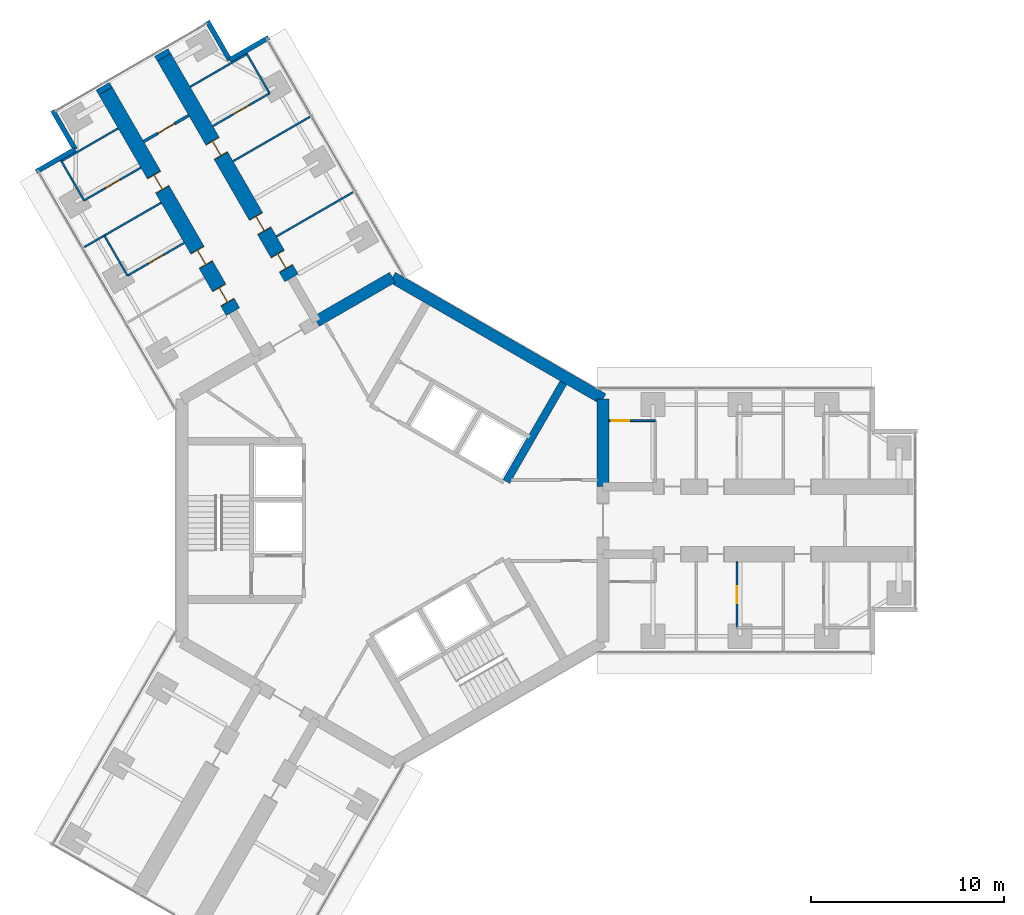
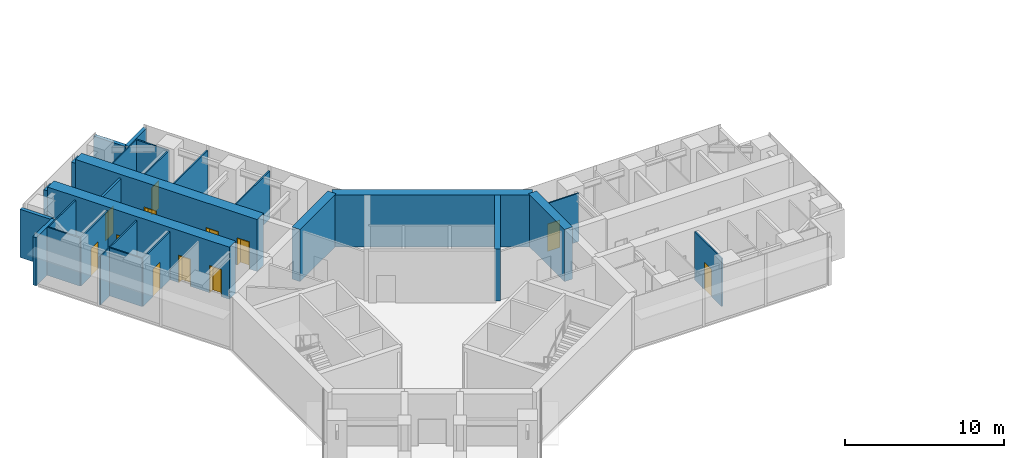
# One storey, part 17 of 23: 26 walls, 12 doors, 12 openings.
"""IFC4 building model written with IfcOpenShell, lengths in metres."""

from ifc_helpers import new_model, si_unit, direction, frame, frame_2d, origin, place, context, subcontext, project, spatial, rectangle, extrude, material, layer, layer_set, type_object, element, fill, save


model = new_model("IFC4")

# Units and contexts
model_context = context("Model", 3, precision=1e-05, world=origin(), true_north=direction((0.0, 1.0)))
body_context = subcontext(model_context, "Body", "Model", "MODEL_VIEW")
ifc_project = project(units=[si_unit("LENGTHUNIT", "METRE"), si_unit("AREAUNIT", "SQUARE_METRE"), si_unit("VOLUMEUNIT", "CUBIC_METRE"), si_unit("PLANEANGLEUNIT", "RADIAN"), si_unit("MASSUNIT", "GRAM", prefix="KILO")], contexts=[model_context])

# Site, building, storey
site_placement = place(None, origin())
site = spatial("IfcSite", under=ifc_project, at=site_placement, CompositionType="ELEMENT")
building_placement = place(site_placement, origin())
building = spatial("IfcBuilding", under=site, at=building_placement, Name="Upepo Twin Towers", CompositionType="ELEMENT")
storey_placement = place(building_placement, frame((0.0, 0.0, 161.5)))
storey = spatial("IfcBuildingStorey", under=building, at=storey_placement, Name="L39", CompositionType="ELEMENT", Elevation=161.5)

# Walls
ifc_material_1 = material(Name="Dense concrete blockwork", Category="masonry")
ifc_layer_1 = layer(ifc_material_1, 0.800048828125)
ifc_layer_set_1 = layer_set([ifc_layer_1], Name="Buttress closer 800, blockwork with fire-stopping to the curtain wall")
wall_type_1 = type_object("IfcWallType", Name="Buttress closer 800, blockwork with fire-stopping to the curtain wall", PredefinedType="PARTITIONING", material=ifc_layer_set_1)
wall_1_placement = place(storey_placement, frame((-14.865478515625, 22.247802734375, 0.0), z_axis=(0.0, 0.0, 1.0), x_axis=(-0.500426713919, 0.865778900179, 0.0)))
element("IfcWall", 1, at=wall_1_placement, inside=storey, type_object=wall_type_1, Name="T1 L39 wing B buttress closer L", PredefinedType="PARTITIONING", context=body_context, shape_type="SweptSolid", body=[
    extrude(rectangle(XDim=0.300048828125, YDim=0.800048828125, at=frame_2d((0.14990234375, 0.0))), origin(), (0.0, 0.0, 1.0), 3.699951171875),
])
wall_2_placement = place(storey_placement, frame((-11.83447265625, 23.997802734375, 0.0), z_axis=(0.0, 0.0, 1.0), x_axis=(-0.499816412211, 0.866131372301, 0.0)))
element("IfcWall", 2, at=wall_2_placement, inside=storey, type_object=wall_type_1, Name="T1 L39 wing B buttress closer R", PredefinedType="PARTITIONING", context=body_context, shape_type="SweptSolid", body=[
    extrude(rectangle(XDim=0.2998046875, YDim=0.800048828125, at=frame_2d((0.14990234375, 0.0))), origin(), (0.0, 0.0, 1.0), 3.699951171875),
])

# Wall, openings, doors
ifc_material_2 = material(Name="Concrete C60/75", Category="concrete")
ifc_layer_2 = layer(ifc_material_2, 0.800048828125)
ifc_layer_set_2 = layer_set([ifc_layer_2], Name="Concrete C60/75")
wall_type_2 = type_object("IfcWallType", Name="Buttress wall 800 RC", PredefinedType="SHEAR", material=ifc_layer_set_2)
wall_3_placement = place(storey_placement, frame((-8.265625, 10.81640625, 0.0), z_axis=(0.0, 0.0, 1.0), x_axis=(-0.499996231654, 0.866027579429, 0.0)))
wall_3 = element("IfcWall", 3, at=wall_3_placement, inside=storey, type_object=wall_type_2, Name="T1 wing B buttress wall L part 2", PredefinedType="SHEAR", context=body_context, shape_type="SweptSolid", body=[
    extrude(rectangle(XDim=13.19970703125, YDim=0.800048828125, at=frame_2d((6.599853515625, 0.0))), origin(), (0.0, 0.0, 1.0), 4.0),
])
opening_1_placement = place(wall_3_placement, frame((0.550048828125, 0.0, 0.0)))
opening_1 = element("IfcOpeningElement", 4, at=opening_1_placement, cuts=wall_3, Name="Opening D14", PredefinedType="OPENING", context=body_context, shape_type="SweptSolid", body=[
    extrude(rectangle(XDim=0.89990234375, YDim=2.10009765625, at=frame_2d((0.449951171875, 1.050048828125))), frame((0.0, 0.409912109375, 0.0), z_axis=(0.0, -1.0, 0.0), x_axis=(1.0, 0.0, 0.0)), (0.0, 0.0, 1.0), 0.820068359375),
])
opening_2_placement = place(wall_3_placement, frame((2.800048828125, 0.0, 0.0)))
opening_2 = element("IfcOpeningElement", 5, at=opening_2_placement, cuts=wall_3, Name="Opening D14", PredefinedType="OPENING", context=body_context, shape_type="SweptSolid", body=[
    extrude(rectangle(XDim=0.89990234375, YDim=2.10009765625, at=frame_2d((0.449951171875, 1.050048828125))), frame((0.0, 0.409912109375, 0.0), z_axis=(0.0, -1.0, 0.0), x_axis=(1.0, 0.0, 0.0)), (0.0, 0.0, 1.0), 0.820068359375),
])
opening_3_placement = place(wall_3_placement, frame((7.300048828125, 0.0, 0.0)))
opening_3 = element("IfcOpeningElement", 6, at=opening_3_placement, cuts=wall_3, Name="Opening D14", PredefinedType="OPENING", context=body_context, shape_type="SweptSolid", body=[
    extrude(rectangle(XDim=0.89990234375, YDim=2.10009765625, at=frame_2d((0.449951171875, 1.050048828125))), frame((0.0, 0.409912109375, 0.0), z_axis=(0.0, -1.0, 0.0), x_axis=(1.0, 0.0, 0.0)), (0.0, 0.0, 1.0), 0.820068359375),
])
ifc_material_3 = material(Name="Timber doorset", Category="wood")
door_type_1 = type_object("IfcDoorType", Name="Office door 900 FD30", OperationType="SINGLE_SWING_LEFT", PredefinedType="DOOR", material=ifc_material_3)
door_1_placement = place(opening_1_placement, origin())
door_1 = element("IfcDoor", 7, at=door_1_placement, inside=storey, type_object=door_type_1, Name="T1 L39 staff office door", OperationType="SINGLE_SWING_LEFT", OverallHeight=2.10009765625, OverallWidth=0.89990234375, PredefinedType="DOOR", context=body_context, shape_type="SweptSolid", body=[
    extrude(rectangle(XDim=0.81990234375, YDim=2.06009765625, at=frame_2d((0.449951171875, 1.030029296875))), frame((0.0, 0.02490234375, 0.0), z_axis=(0.0, -1.0, 0.0), x_axis=(1.0, 0.0, 0.0)), (0.0, 0.0, 1.0), 0.050048828125),
    extrude(rectangle(XDim=0.04, YDim=2.10009765625, at=frame_2d((0.02001953125, 1.050048828125))), frame((0.0, 0.39990234375, 0.0), z_axis=(0.0, -1.0, 0.0), x_axis=(1.0, 0.0, 0.0)), (0.0, 0.0, 1.0), 0.799560546875),
    extrude(rectangle(XDim=0.04, YDim=2.10009765625, at=frame_2d((0.8798828125, 1.050048828125))), frame((0.0, 0.39990234375, 0.0), z_axis=(0.0, -1.0, 0.0), x_axis=(1.0, 0.0, 0.0)), (0.0, 0.0, 1.0), 0.799560546875),
    extrude(rectangle(XDim=0.81990234375, YDim=0.04, at=frame_2d((0.449951171875, 2.080078125))), frame((0.0, 0.39990234375, 0.0), z_axis=(0.0, -1.0, 0.0), x_axis=(1.0, 0.0, 0.0)), (0.0, 0.0, 1.0), 0.799560546875),
])
fill(opening_1, door_1)
door_2_placement = place(opening_2_placement, origin())
door_2 = element("IfcDoor", 8, at=door_2_placement, inside=storey, type_object=door_type_1, Name="T1 L39 postgraduate office door", OperationType="SINGLE_SWING_LEFT", OverallHeight=2.10009765625, OverallWidth=0.89990234375, PredefinedType="DOOR", context=body_context, shape_type="SweptSolid", body=[
    extrude(rectangle(XDim=0.81990234375, YDim=2.06009765625, at=frame_2d((0.449951171875, 1.030029296875))), frame((0.0, 0.02490234375, 0.0), z_axis=(0.0, -1.0, 0.0), x_axis=(1.0, 0.0, 0.0)), (0.0, 0.0, 1.0), 0.050048828125),
    extrude(rectangle(XDim=0.04, YDim=2.10009765625, at=frame_2d((0.02001953125, 1.050048828125))), frame((0.0, 0.39990234375, 0.0), z_axis=(0.0, -1.0, 0.0), x_axis=(1.0, 0.0, 0.0)), (0.0, 0.0, 1.0), 0.799560546875),
    extrude(rectangle(XDim=0.04, YDim=2.10009765625, at=frame_2d((0.8798828125, 1.050048828125))), frame((0.0, 0.39990234375, 0.0), z_axis=(0.0, -1.0, 0.0), x_axis=(1.0, 0.0, 0.0)), (0.0, 0.0, 1.0), 0.799560546875),
    extrude(rectangle(XDim=0.81990234375, YDim=0.04, at=frame_2d((0.449951171875, 2.080078125))), frame((0.0, 0.39990234375, 0.0), z_axis=(0.0, -1.0, 0.0), x_axis=(1.0, 0.0, 0.0)), (0.0, 0.0, 1.0), 0.799560546875),
])
fill(opening_2, door_2)
door_3_placement = place(opening_3_placement, origin())
door_3 = element("IfcDoor", 9, at=door_3_placement, inside=storey, type_object=door_type_1, Name="T1 L39 meeting room door", OperationType="SINGLE_SWING_RIGHT", OverallHeight=2.10009765625, OverallWidth=0.89990234375, PredefinedType="DOOR", context=body_context, shape_type="SweptSolid", body=[
    extrude(rectangle(XDim=0.81990234375, YDim=2.06009765625, at=frame_2d((0.449951171875, 1.030029296875))), frame((0.0, 0.02490234375, 0.0), z_axis=(0.0, -1.0, 0.0), x_axis=(1.0, 0.0, 0.0)), (0.0, 0.0, 1.0), 0.050048828125),
    extrude(rectangle(XDim=0.04, YDim=2.10009765625, at=frame_2d((0.02001953125, 1.050048828125))), frame((0.0, 0.39990234375, 0.0), z_axis=(0.0, -1.0, 0.0), x_axis=(1.0, 0.0, 0.0)), (0.0, 0.0, 1.0), 0.799560546875),
    extrude(rectangle(XDim=0.04, YDim=2.10009765625, at=frame_2d((0.8798828125, 1.050048828125))), frame((0.0, 0.39990234375, 0.0), z_axis=(0.0, -1.0, 0.0), x_axis=(1.0, 0.0, 0.0)), (0.0, 0.0, 1.0), 0.799560546875),
    extrude(rectangle(XDim=0.81990234375, YDim=0.04, at=frame_2d((0.449951171875, 2.080078125))), frame((0.0, 0.39990234375, 0.0), z_axis=(0.0, -1.0, 0.0), x_axis=(1.0, 0.0, 0.0)), (0.0, 0.0, 1.0), 0.799560546875),
])
fill(opening_3, door_3)

wall_4_placement = place(storey_placement, frame((-5.234375, 12.56640625, 0.0), z_axis=(0.0, 0.0, 1.0), x_axis=(-0.500010103361, 0.866019570528, 0.0)))
wall_4 = element("IfcWall", 10, at=wall_4_placement, inside=storey, type_object=wall_type_2, Name="T1 wing B buttress wall R part 2", PredefinedType="SHEAR", context=body_context, shape_type="SweptSolid", body=[
    extrude(rectangle(XDim=13.199951171875, YDim=0.800048828125, at=frame_2d((6.60009765625, 0.0))), origin(), (0.0, 0.0, 1.0), 4.0),
])
opening_4_placement = place(wall_4_placement, frame((0.550048828125, 0.0, 0.0)))
opening_4 = element("IfcOpeningElement", 11, at=opening_4_placement, cuts=wall_4, Name="Opening D14", PredefinedType="OPENING", context=body_context, shape_type="SweptSolid", body=[
    extrude(rectangle(XDim=0.89990234375, YDim=2.10009765625, at=frame_2d((0.449951171875, 1.050048828125))), frame((0.0, 0.409912109375, 0.0), z_axis=(0.0, -1.0, 0.0), x_axis=(1.0, 0.0, 0.0)), (0.0, 0.0, 1.0), 0.820068359375),
])
opening_5_placement = place(wall_4_placement, frame((2.800048828125, 0.0, 0.0)))
opening_5 = element("IfcOpeningElement", 12, at=opening_5_placement, cuts=wall_4, Name="Opening D14", PredefinedType="OPENING", context=body_context, shape_type="SweptSolid", body=[
    extrude(rectangle(XDim=0.89990234375, YDim=2.10009765625, at=frame_2d((0.449951171875, 1.050048828125))), frame((0.0, 0.409912109375, 0.0), z_axis=(0.0, -1.0, 0.0), x_axis=(1.0, 0.0, 0.0)), (0.0, 0.0, 1.0), 0.820068359375),
])
opening_6_placement = place(wall_4_placement, frame((7.300048828125, 0.0, 0.0)))
opening_6 = element("IfcOpeningElement", 13, at=opening_6_placement, cuts=wall_4, Name="Opening D14", PredefinedType="OPENING", context=body_context, shape_type="SweptSolid", body=[
    extrude(rectangle(XDim=0.89990234375, YDim=2.10009765625, at=frame_2d((0.449951171875, 1.050048828125))), frame((0.0, 0.409912109375, 0.0), z_axis=(0.0, -1.0, 0.0), x_axis=(1.0, 0.0, 0.0)), (0.0, 0.0, 1.0), 0.820068359375),
])
door_4_placement = place(opening_4_placement, origin())
door_4 = element("IfcDoor", 14, at=door_4_placement, inside=storey, type_object=door_type_1, Name="T1 L39 staff office door", OperationType="SINGLE_SWING_LEFT", OverallHeight=2.10009765625, OverallWidth=0.89990234375, PredefinedType="DOOR", context=body_context, shape_type="SweptSolid", body=[
    extrude(rectangle(XDim=0.81990234375, YDim=2.06009765625, at=frame_2d((0.449951171875, 1.030029296875))), frame((0.0, 0.02490234375, 0.0), z_axis=(0.0, -1.0, 0.0), x_axis=(1.0, 0.0, 0.0)), (0.0, 0.0, 1.0), 0.050048828125),
    extrude(rectangle(XDim=0.04, YDim=2.10009765625, at=frame_2d((0.02001953125, 1.050048828125))), frame((0.0, 0.39990234375, 0.0), z_axis=(0.0, -1.0, 0.0), x_axis=(1.0, 0.0, 0.0)), (0.0, 0.0, 1.0), 0.799560546875),
    extrude(rectangle(XDim=0.04, YDim=2.10009765625, at=frame_2d((0.8798828125, 1.050048828125))), frame((0.0, 0.39990234375, 0.0), z_axis=(0.0, -1.0, 0.0), x_axis=(1.0, 0.0, 0.0)), (0.0, 0.0, 1.0), 0.799560546875),
    extrude(rectangle(XDim=0.81990234375, YDim=0.04, at=frame_2d((0.449951171875, 2.080078125))), frame((0.0, 0.39990234375, 0.0), z_axis=(0.0, -1.0, 0.0), x_axis=(1.0, 0.0, 0.0)), (0.0, 0.0, 1.0), 0.799560546875),
])
fill(opening_4, door_4)
door_5_placement = place(opening_5_placement, origin())
door_5 = element("IfcDoor", 15, at=door_5_placement, inside=storey, type_object=door_type_1, Name="T1 L39 staff office door", OperationType="SINGLE_SWING_LEFT", OverallHeight=2.10009765625, OverallWidth=0.89990234375, PredefinedType="DOOR", context=body_context, shape_type="SweptSolid", body=[
    extrude(rectangle(XDim=0.81990234375, YDim=2.06009765625, at=frame_2d((0.449951171875, 1.030029296875))), frame((0.0, 0.02490234375, 0.0), z_axis=(0.0, -1.0, 0.0), x_axis=(1.0, 0.0, 0.0)), (0.0, 0.0, 1.0), 0.050048828125),
    extrude(rectangle(XDim=0.04, YDim=2.10009765625, at=frame_2d((0.02001953125, 1.050048828125))), frame((0.0, 0.39990234375, 0.0), z_axis=(0.0, -1.0, 0.0), x_axis=(1.0, 0.0, 0.0)), (0.0, 0.0, 1.0), 0.799560546875),
    extrude(rectangle(XDim=0.04, YDim=2.10009765625, at=frame_2d((0.8798828125, 1.050048828125))), frame((0.0, 0.39990234375, 0.0), z_axis=(0.0, -1.0, 0.0), x_axis=(1.0, 0.0, 0.0)), (0.0, 0.0, 1.0), 0.799560546875),
    extrude(rectangle(XDim=0.81990234375, YDim=0.04, at=frame_2d((0.449951171875, 2.080078125))), frame((0.0, 0.39990234375, 0.0), z_axis=(0.0, -1.0, 0.0), x_axis=(1.0, 0.0, 0.0)), (0.0, 0.0, 1.0), 0.799560546875),
])
fill(opening_5, door_5)
door_6_placement = place(opening_6_placement, origin())
door_6 = element("IfcDoor", 16, at=door_6_placement, inside=storey, type_object=door_type_1, Name="T1 L39 postgraduate office door", OperationType="SINGLE_SWING_RIGHT", OverallHeight=2.10009765625, OverallWidth=0.89990234375, PredefinedType="DOOR", context=body_context, shape_type="SweptSolid", body=[
    extrude(rectangle(XDim=0.81990234375, YDim=2.06009765625, at=frame_2d((0.449951171875, 1.030029296875))), frame((0.0, 0.02490234375, 0.0), z_axis=(0.0, -1.0, 0.0), x_axis=(1.0, 0.0, 0.0)), (0.0, 0.0, 1.0), 0.050048828125),
    extrude(rectangle(XDim=0.04, YDim=2.10009765625, at=frame_2d((0.02001953125, 1.050048828125))), frame((0.0, 0.39990234375, 0.0), z_axis=(0.0, -1.0, 0.0), x_axis=(1.0, 0.0, 0.0)), (0.0, 0.0, 1.0), 0.799560546875),
    extrude(rectangle(XDim=0.04, YDim=2.10009765625, at=frame_2d((0.8798828125, 1.050048828125))), frame((0.0, 0.39990234375, 0.0), z_axis=(0.0, -1.0, 0.0), x_axis=(1.0, 0.0, 0.0)), (0.0, 0.0, 1.0), 0.799560546875),
    extrude(rectangle(XDim=0.81990234375, YDim=0.04, at=frame_2d((0.449951171875, 2.080078125))), frame((0.0, 0.39990234375, 0.0), z_axis=(0.0, -1.0, 0.0), x_axis=(1.0, 0.0, 0.0)), (0.0, 0.0, 1.0), 0.799560546875),
])
fill(opening_6, door_6)

# Walls
ifc_material_4 = material(Name="Concrete C60/75", Category="concrete")
ifc_layer_3 = layer(ifc_material_4, 0.60009765625)
ifc_layer_set_3 = layer_set([ifc_layer_3], Name="Concrete C60/75")
wall_type_3 = type_object("IfcWallType", Name="Core wall 600 RC", PredefinedType="SHEAR", material=ifc_layer_set_3)
wall_5_placement = place(storey_placement, frame((10.908447265625, 1.75, 0.0), z_axis=(0.0, 0.0, 1.0), x_axis=(0.0, 1.0, 0.0)))
element("IfcWall", 17, at=wall_5_placement, inside=storey, type_object=wall_type_3, Name="T1 core wall 000 L", PredefinedType="SHEAR", context=body_context, shape_type="SweptSolid", body=[
    extrude(rectangle(XDim=4.5478515625, YDim=0.60009765625, at=frame_2d((2.27392578125, 0.0))), origin(), (0.0, 0.0, 1.0), 4.0),
])
wall_6_placement = place(storey_placement, frame((10.908447265625, 6.2978515625, 0.0), z_axis=(0.0, 0.0, 1.0), x_axis=(-0.866021940709, 0.500005998175, 0.0)))
element("IfcWall", 18, at=wall_6_placement, inside=storey, type_object=wall_type_3, Name="T1 core wall 060", PredefinedType="SHEAR", context=body_context, shape_type="SweptSolid", body=[
    extrude(rectangle(XDim=12.595947265625, YDim=0.60009765625, at=frame_2d((6.2978515625, 0.0))), origin(), (0.0, 0.0, 1.0), 4.0),
])
wall_7_placement = place(storey_placement, frame((0.0, 12.595947265625, 0.0), z_axis=(0.0, 0.0, 1.0), x_axis=(-0.866011268655, -0.500024481964, 0.0)))
element("IfcWall", 19, at=wall_7_placement, inside=storey, type_object=wall_type_3, Name="T1 core wall 120 R", PredefinedType="SHEAR", context=body_context, shape_type="SweptSolid", body=[
    extrude(rectangle(XDim=4.548095703125, YDim=0.60009765625, at=frame_2d((2.27392578125, 0.0))), origin(), (0.0, 0.0, 1.0), 4.0),
])
ifc_material_5 = material(Name="Blockwork with anodised aluminium cladding", Category="masonry")
ifc_layer_4 = layer(ifc_material_5, 0.25)
ifc_layer_set_4 = layer_set([ifc_layer_4], Name="Notch cladding wall 250, pale metal")
wall_type_4 = type_object("IfcWallType", Name="Notch cladding wall 250, pale metal", PredefinedType="STANDARD", material=ifc_layer_set_4)
for number, where, z_axis, x_axis, name in (
    (20, (-18.456298828125, 18.0673828125, 0.0), (0.0, 0.0, 1.0), (0.865998469481, 0.500046648681, 0.0), "T1 L39 wing B notch wall L1"),
    (21, (-16.44287109375, 19.22998046875, 0.0), (0.0, 0.0, 1.0), (-0.500046648681, 0.865998469481, 0.0), "T1 L39 wing B notch wall L2"),
    (22, (-6.418701171875, 25.017333984375, 0.0), (0.0, 0.0, 1.0), (-0.866043940782, -0.499967891604, 0.0), "T1 L39 wing B notch wall R1"),
    (23, (-8.43212890625, 23.85498046875, 0.0), (0.0, 0.0, 1.0), (-0.500046648681, 0.865998469481, 0.0), "T1 L39 wing B notch wall R2"),
):
    element("IfcWall", number, at=place(storey_placement, frame(where, z_axis=z_axis, x_axis=x_axis)), inside=storey, type_object=wall_type_4, Name=name, PredefinedType="STANDARD", context=body_context, shape_type="SweptSolid", body=[
        extrude(rectangle(XDim=2.324951171875, YDim=0.25, at=frame_2d((1.16259765625, 0.0))), origin(), (0.0, 0.0, 1.0), 3.699951171875),
    ])

# Wall, opening, door
ifc_material_6 = material(Name="Gypsum board on steel studs", Category="steel")
ifc_layer_5 = layer(ifc_material_6, 0.10009765625)
ifc_layer_set_5 = layer_set([ifc_layer_5], Name="Office partition 100 stud")
wall_type_5 = type_object("IfcWallType", Name="Office partition 100 stud", PredefinedType="PARTITIONING", material=ifc_layer_set_5)
wall_8_placement = place(storey_placement, frame((11.2080078125, 5.175048828125, 0.0), z_axis=(0.0, 0.0, 1.0), x_axis=(1.0, 0.0, 0.0)))
wall_8 = element("IfcWall", 24, at=wall_8_placement, inside=storey, type_object=wall_type_5, Name="T1 WC bay partition AL at 11.21", PredefinedType="PARTITIONING", context=body_context, shape_type="SweptSolid", body=[
    extrude(rectangle(XDim=2.39990234375, YDim=0.10009765625, at=frame_2d((1.199951171875, 0.0))), origin(), (0.0, 0.0, 1.0), 3.699951171875),
])
opening_7_placement = place(wall_8_placement, frame((0.14990234375, 0.0, 0.0)))
opening_7 = element("IfcOpeningElement", 25, at=opening_7_placement, cuts=wall_8, Name="Opening D14", PredefinedType="OPENING", context=body_context, shape_type="SweptSolid", body=[
    extrude(rectangle(XDim=0.89990234375, YDim=2.10009765625, at=frame_2d((0.449951171875, 1.050048828125))), frame((0.0, 0.06005859375, 0.0), z_axis=(0.0, -1.0, 0.0), x_axis=(1.0, 0.0, 0.0)), (0.0, 0.0, 1.0), 0.1201171875),
])
door_7_placement = place(opening_7_placement, origin())
door_7 = element("IfcDoor", 26, at=door_7_placement, inside=storey, type_object=door_type_1, Name="T1 L39 WC bay inner room door", OperationType="SINGLE_SWING_LEFT", OverallHeight=2.10009765625, OverallWidth=0.89990234375, PredefinedType="DOOR", context=body_context, shape_type="SweptSolid", body=[
    extrude(rectangle(XDim=0.89990234375, YDim=2.10009765625, at=frame_2d((0.449951171875, 1.050048828125))), frame((0.0, 0.02490234375, 0.0), z_axis=(0.0, -1.0, 0.0), x_axis=(1.0, 0.0, 0.0)), (0.0, 0.0, 1.0), 0.050048828125),
])
fill(opening_7, door_7)

wall_9_placement = place(storey_placement, frame((17.85009765625, -2.14990234375, 0.0), z_axis=(0.0, 0.0, 1.0), x_axis=(0.0, -1.0, 0.0)))
wall_9 = element("IfcWall", 27, at=wall_9_placement, inside=storey, type_object=wall_type_5, Name="T1 inner room partition AR end at 17.85", PredefinedType="PARTITIONING", context=body_context, shape_type="SweptSolid", body=[
    extrude(rectangle(XDim=3.400146484375, YDim=0.10009765625, at=frame_2d((1.7001953125, 0.0))), origin(), (0.0, 0.0, 1.0), 3.699951171875),
])
opening_8_placement = place(wall_9_placement, frame((1.25, 0.0, 0.0)))
opening_8 = element("IfcOpeningElement", 28, at=opening_8_placement, cuts=wall_9, Name="Opening D14", PredefinedType="OPENING", context=body_context, shape_type="SweptSolid", body=[
    extrude(rectangle(XDim=0.89990234375, YDim=2.10009765625, at=frame_2d((0.449951171875, 1.050048828125))), frame((0.0, 0.06005859375, 0.0), z_axis=(0.0, -1.0, 0.0), x_axis=(1.0, 0.0, 0.0)), (0.0, 0.0, 1.0), 0.1201171875),
])
door_8_placement = place(opening_8_placement, origin())
door_8 = element("IfcDoor", 29, at=door_8_placement, inside=storey, type_object=door_type_1, Name="T1 L39 inner room door", OperationType="SINGLE_SWING_LEFT", OverallHeight=2.10009765625, OverallWidth=0.89990234375, PredefinedType="DOOR", context=body_context, shape_type="SweptSolid", body=[
    extrude(rectangle(XDim=0.89990234375, YDim=2.10009765625, at=frame_2d((0.449951171875, 1.050048828125))), frame((0.0, 0.02490234375, 0.0), z_axis=(0.0, -1.0, 0.0), x_axis=(1.0, 0.0, 0.0)), (0.0, 0.0, 1.0), 0.050048828125),
])
fill(opening_8, door_8)

# Walls
wall_10_placement = place(storey_placement, frame((-11.987060546875, 16.4619140625, 0.0), z_axis=(0.0, 0.0, 1.0), x_axis=(-0.866039752405, -0.499975146636, 0.0)))
element("IfcWall", 30, at=wall_10_placement, inside=storey, type_object=wall_type_5, Name="T1 partition BL at 20.25", PredefinedType="PARTITIONING", context=body_context, shape_type="SweptSolid", body=[
    extrude(rectangle(XDim=4.599853515625, YDim=0.10009765625, at=frame_2d((2.2998046875, 0.0))), origin(), (0.0, 0.0, 1.0), 3.699951171875),
])
wall_11_placement = place(storey_placement, frame((-13.7314453125, 12.68359375, 0.0), z_axis=(0.0, 0.0, 1.0), x_axis=(-0.500001309137, 0.866024647952, 0.0)))
element("IfcWall", 31, at=wall_11_placement, inside=storey, type_object=wall_type_5, Name="T1 inner room partition BL at 17.85", PredefinedType="PARTITIONING", context=body_context, shape_type="SweptSolid", body=[
    extrude(rectangle(XDim=2.39990234375, YDim=0.10009765625, at=frame_2d((1.199951171875, 0.0))), origin(), (0.0, 0.0, 1.0), 3.699951171875),
])

# Wall, opening, door
wall_12_placement = place(storey_placement, frame((-10.786865234375, 14.383544921875, 0.0), z_axis=(0.0, 0.0, 1.0), x_axis=(-0.866038511948, -0.499977295307, 0.0)))
wall_12 = element("IfcWall", 32, at=wall_12_placement, inside=storey, type_object=wall_type_5, Name="T1 inner room partition BL end at 17.85", PredefinedType="PARTITIONING", context=body_context, shape_type="SweptSolid", body=[
    extrude(rectangle(XDim=3.400146484375, YDim=0.10009765625, at=frame_2d((1.7001953125, 0.0))), origin(), (0.0, 0.0, 1.0), 3.699951171875),
])
opening_9_placement = place(wall_12_placement, frame((1.25, 0.0, 0.0)))
opening_9 = element("IfcOpeningElement", 33, at=opening_9_placement, cuts=wall_12, Name="Opening D14", PredefinedType="OPENING", context=body_context, shape_type="SweptSolid", body=[
    extrude(rectangle(XDim=0.89990234375, YDim=2.10009765625, at=frame_2d((0.449951171875, 1.050048828125))), frame((0.0, 0.06005859375, 0.0), z_axis=(0.0, -1.0, 0.0), x_axis=(1.0, 0.0, 0.0)), (0.0, 0.0, 1.0), 0.1201171875),
])
door_9_placement = place(opening_9_placement, origin())
door_9 = element("IfcDoor", 34, at=door_9_placement, inside=storey, type_object=door_type_1, Name="T1 L39 inner room door", OperationType="SINGLE_SWING_LEFT", OverallHeight=2.10009765625, OverallWidth=0.89990234375, PredefinedType="DOOR", context=body_context, shape_type="SweptSolid", body=[
    extrude(rectangle(XDim=0.89990234375, YDim=2.10009765625, at=frame_2d((0.449951171875, 1.050048828125))), frame((0.0, 0.02490234375, 0.0), z_axis=(0.0, -1.0, 0.0), x_axis=(1.0, 0.0, 0.0)), (0.0, 0.0, 1.0), 0.050048828125),
])
fill(opening_9, door_9)

# Wall
wall_13_placement = place(storey_placement, frame((-15.9814453125, 16.58056640625, 0.0), z_axis=(0.0, 0.0, 1.0), x_axis=(-0.499957262057, 0.866050077142, 0.0)))
element("IfcWall", 35, at=wall_13_placement, inside=storey, type_object=wall_type_5, Name="T1 inner room partition BL at 22.35", PredefinedType="PARTITIONING", context=body_context, shape_type="SweptSolid", body=[
    extrude(rectangle(XDim=2.400146484375, YDim=0.10009765625, at=frame_2d((1.2001953125, 0.0))), origin(), (0.0, 0.0, 1.0), 3.699951171875),
])

# Wall, opening, door
wall_14_placement = place(storey_placement, frame((-13.036865234375, 18.28076171875, 0.0), z_axis=(0.0, 0.0, 1.0), x_axis=(-0.866007419912, -0.500031147688, 0.0)))
wall_14 = element("IfcWall", 36, at=wall_14_placement, inside=storey, type_object=wall_type_5, Name="T1 inner room partition BL end at 22.35", PredefinedType="PARTITIONING", context=body_context, shape_type="SweptSolid", body=[
    extrude(rectangle(XDim=3.400146484375, YDim=0.10009765625, at=frame_2d((1.7001953125, 0.0))), origin(), (0.0, 0.0, 1.0), 3.699951171875),
])
opening_10_placement = place(wall_14_placement, frame((1.25, 0.0, 0.0)))
opening_10 = element("IfcOpeningElement", 37, at=opening_10_placement, cuts=wall_14, Name="Opening D14", PredefinedType="OPENING", context=body_context, shape_type="SweptSolid", body=[
    extrude(rectangle(XDim=0.89990234375, YDim=2.10009765625, at=frame_2d((0.449951171875, 1.050048828125))), frame((0.0, 0.06005859375, 0.0), z_axis=(0.0, -1.0, 0.0), x_axis=(1.0, 0.0, 0.0)), (0.0, 0.0, 1.0), 0.1201171875),
])
door_10_placement = place(opening_10_placement, origin())
door_10 = element("IfcDoor", 38, at=door_10_placement, inside=storey, type_object=door_type_1, Name="T1 L39 inner room door", OperationType="SINGLE_SWING_LEFT", OverallHeight=2.10009765625, OverallWidth=0.89990234375, PredefinedType="DOOR", context=body_context, shape_type="SweptSolid", body=[
    extrude(rectangle(XDim=0.89990234375, YDim=2.10009765625, at=frame_2d((0.449951171875, 1.050048828125))), frame((0.0, 0.02490234375, 0.0), z_axis=(0.0, -1.0, 0.0), x_axis=(1.0, 0.0, 0.0)), (0.0, 0.0, 1.0), 0.050048828125),
])
fill(opening_10, door_10)

# Walls
wall_15_placement = place(storey_placement, frame((-14.2119140625, 20.31591796875, 0.0), z_axis=(0.0, 0.0, 1.0), x_axis=(-0.866007419912, -0.500031147688, 0.0)))
element("IfcWall", 39, at=wall_15_placement, inside=storey, type_object=wall_type_5, Name="T1 inner room partition BL end at 24.75", PredefinedType="PARTITIONING", context=body_context, shape_type="SweptSolid", body=[
    extrude(rectangle(XDim=3.400146484375, YDim=0.10009765625, at=frame_2d((1.7001953125, 0.0))), origin(), (0.0, 0.0, 1.0), 3.699951171875),
])
for number, where, z_axis, x_axis, name in (
    (40, (-6.012939453125, 14.71484375, 0.0), (0.0, 0.0, 1.0), (0.866016770315, 0.500014953309, 0.0), "T1 partition BR at 15.75"),
    (41, (-8.262939453125, 18.612060546875, 0.0), (0.0, 0.0, 1.0), (0.866016770315, 0.500014953309, 0.0), "T1 partition BR at 20.25"),
):
    element("IfcWall", number, at=place(storey_placement, frame(where, z_axis=z_axis, x_axis=x_axis)), inside=storey, type_object=wall_type_5, Name=name, PredefinedType="PARTITIONING", context=body_context, shape_type="SweptSolid", body=[
        extrude(rectangle(XDim=4.599853515625, YDim=0.10009765625, at=frame_2d((2.2998046875, 0.0))), origin(), (0.0, 0.0, 1.0), 3.699951171875),
    ])
wall_16_placement = place(storey_placement, frame((-6.36865234375, 22.130615234375, 0.0), z_axis=(0.0, 0.0, 1.0), x_axis=(-0.499957262057, 0.866050077142, 0.0)))
element("IfcWall", 42, at=wall_16_placement, inside=storey, type_object=wall_type_5, Name="T1 inner room partition BR at 22.35", PredefinedType="PARTITIONING", context=body_context, shape_type="SweptSolid", body=[
    extrude(rectangle(XDim=2.400146484375, YDim=0.10009765625, at=frame_2d((1.2001953125, 0.0))), origin(), (0.0, 0.0, 1.0), 3.699951171875),
])

# Wall, opening, door
wall_17_placement = place(storey_placement, frame((-9.31298828125, 20.4306640625, 0.0), z_axis=(0.0, 0.0, 1.0), x_axis=(0.866020560687, 0.500008388397, 0.0)))
wall_17 = element("IfcWall", 43, at=wall_17_placement, inside=storey, type_object=wall_type_5, Name="T1 inner room partition BR end at 22.35", PredefinedType="PARTITIONING", context=body_context, shape_type="SweptSolid", body=[
    extrude(rectangle(XDim=3.39990234375, YDim=0.10009765625, at=frame_2d((1.699951171875, 0.0))), origin(), (0.0, 0.0, 1.0), 3.699951171875),
])
opening_11_placement = place(wall_17_placement, frame((1.25, 0.0, 0.0)))
opening_11 = element("IfcOpeningElement", 44, at=opening_11_placement, cuts=wall_17, Name="Opening D14", PredefinedType="OPENING", context=body_context, shape_type="SweptSolid", body=[
    extrude(rectangle(XDim=0.89990234375, YDim=2.10009765625, at=frame_2d((0.449951171875, 1.050048828125))), frame((0.0, 0.06005859375, 0.0), z_axis=(0.0, -1.0, 0.0), x_axis=(1.0, 0.0, 0.0)), (0.0, 0.0, 1.0), 0.1201171875),
])
door_11_placement = place(opening_11_placement, origin())
door_11 = element("IfcDoor", 45, at=door_11_placement, inside=storey, type_object=door_type_1, Name="T1 L39 inner room door", OperationType="SINGLE_SWING_LEFT", OverallHeight=2.10009765625, OverallWidth=0.89990234375, PredefinedType="DOOR", context=body_context, shape_type="SweptSolid", body=[
    extrude(rectangle(XDim=0.89990234375, YDim=2.10009765625, at=frame_2d((0.449951171875, 1.050048828125))), frame((0.0, 0.02490234375, 0.0), z_axis=(0.0, -1.0, 0.0), x_axis=(1.0, 0.0, 0.0)), (0.0, 0.0, 1.0), 0.050048828125),
])
fill(opening_11, door_11)

# Walls
wall_18_placement = place(storey_placement, frame((-10.488037109375, 22.4658203125, 0.0), z_axis=(0.0, 0.0, 1.0), x_axis=(0.866038511948, 0.499977295307, 0.0)))
element("IfcWall", 46, at=wall_18_placement, inside=storey, type_object=wall_type_5, Name="T1 inner room partition BR end at 24.75", PredefinedType="PARTITIONING", context=body_context, shape_type="SweptSolid", body=[
    extrude(rectangle(XDim=3.400146484375, YDim=0.10009765625, at=frame_2d((1.7001953125, 0.0))), origin(), (0.0, 0.0, 1.0), 3.699951171875),
])
ifc_material_7 = material(Name="Concrete C40/50", Category="concrete")
ifc_layer_6 = layer(ifc_material_7, 0.39990234375)
ifc_layer_set_6 = layer_set([ifc_layer_6], Name="Concrete C40/50")
wall_type_6 = type_object("IfcWallType", Name="Shaft wall 400 RC", PredefinedType="SHEAR", material=ifc_layer_set_6)
wall_19_placement = place(storey_placement, frame((5.900634765625, 2.020263671875, 0.0), z_axis=(0.0, 0.0, 1.0), x_axis=(0.500027676417, 0.866009424208, 0.0)))
element("IfcWall", 47, at=wall_19_placement, inside=storey, type_object=wall_type_6, Name="T1 core W60 side wall S", PredefinedType="SHEAR", context=body_context, shape_type="SweptSolid", body=[
    extrude(rectangle(XDim=5.908447265625, YDim=0.39990234375, at=frame_2d((2.9541015625, 0.0))), origin(), (0.0, 0.0, 1.0), 4.0),
])

# Wall, opening, door
ifc_material_8 = material(Name="Gypsum board on steel studs", Category="steel")
ifc_layer_7 = layer(ifc_material_8, 0.14990234375)
ifc_layer_set_7 = layer_set([ifc_layer_7], Name="Teaching partition 150 acoustic")
wall_type_7 = type_object("IfcWallType", Name="Teaching partition 150 acoustic", PredefinedType="PARTITIONING", material=ifc_layer_set_7)
wall_20_placement = place(storey_placement, frame((-10.555908203125, 20.9833984375, 0.0), z_axis=(0.0, 0.0, 1.0), x_axis=(-0.86599734893, -0.500048589285, 0.0)))
wall_20 = element("IfcWall", 48, at=wall_20_placement, inside=storey, type_object=wall_type_7, Name="T1 corridor end partition B at 23.45", PredefinedType="PARTITIONING", context=body_context, shape_type="SweptSolid", body=[
    extrude(rectangle(XDim=2.699951171875, YDim=0.14990234375, at=frame_2d((1.35009765625, 0.0))), origin(), (0.0, 0.0, 1.0), 3.699951171875),
])
opening_12_placement = place(wall_20_placement, frame((0.85009765625, 0.0, 0.0)))
opening_12 = element("IfcOpeningElement", 49, at=opening_12_placement, cuts=wall_20, Name="Opening D1", PredefinedType="OPENING", context=body_context, shape_type="SweptSolid", body=[
    extrude(rectangle(XDim=1.0, YDim=2.10009765625, at=frame_2d((0.5, 1.050048828125))), frame((0.0, 0.0849609375, 0.0), z_axis=(0.0, -1.0, 0.0), x_axis=(1.0, 0.0, 0.0)), (0.0, 0.0, 1.0), 0.169921875),
])
ifc_material_9 = material(Name="Timber doorset", Category="wood")
door_type_2 = type_object("IfcDoorType", Name="Room door 1000 FD30", OperationType="SINGLE_SWING_LEFT", PredefinedType="DOOR", material=ifc_material_9)
door_12_placement = place(opening_12_placement, origin())
door_12 = element("IfcDoor", 50, at=door_12_placement, inside=storey, type_object=door_type_2, Name="T1 L39 breakout study room door", OperationType="SINGLE_SWING_RIGHT", OverallHeight=2.10009765625, OverallWidth=1.0, PredefinedType="DOOR", context=body_context, shape_type="SweptSolid", body=[
    extrude(rectangle(XDim=1.0, YDim=2.10009765625, at=frame_2d((0.5, 1.050048828125))), frame((0.0, 0.02490234375, 0.0), z_axis=(0.0, -1.0, 0.0), x_axis=(1.0, 0.0, 0.0)), (0.0, 0.0, 1.0), 0.050048828125),
])
fill(opening_12, door_12)

save(model, "model.ifc")
